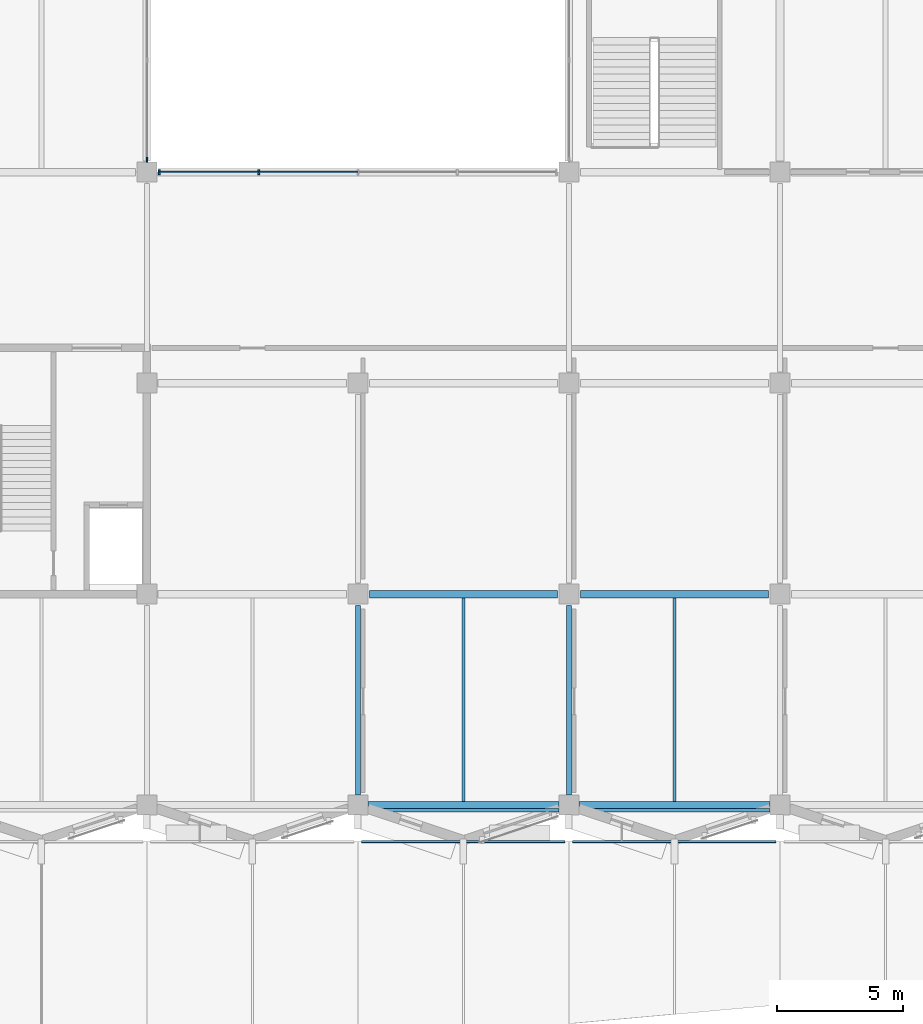
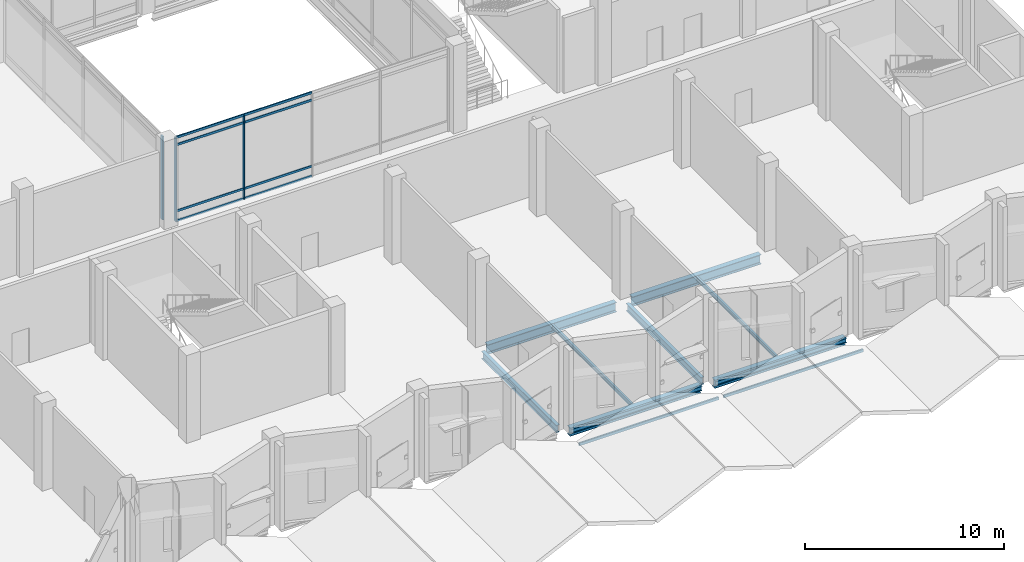
# One storey, part 20 of 72: 13 members, 10 beams, 2 elements without a shape of their own.
"""IFC4 building model written with IfcOpenShell, lengths in metres."""

from ifc_helpers import new_model, si_unit, direction, frame, origin, origin_2d, place, context, subcontext, project, spatial, rectangle, hollow_rectangle, i_section, extrude, material, layer, layer_set, material_profile, profile_set, type_object, element, aggregate, save


model = new_model("IFC4")

# Units and contexts
model_context = context("Model", 3, precision=1e-05, world=origin(), true_north=direction((0.0, 1.0)))
body_context = subcontext(model_context, "Body", "Model", "MODEL_VIEW")
ifc_project = project(units=[si_unit("LENGTHUNIT", "METRE"), si_unit("AREAUNIT", "SQUARE_METRE"), si_unit("VOLUMEUNIT", "CUBIC_METRE"), si_unit("PLANEANGLEUNIT", "RADIAN"), si_unit("MASSUNIT", "GRAM", prefix="KILO")], contexts=[model_context])

# Site, building, storey
site_placement = place(None, origin())
site = spatial("IfcSite", under=ifc_project, at=site_placement, CompositionType="ELEMENT")
building_placement = place(site_placement, origin())
building = spatial("IfcBuilding", under=site, at=building_placement, Name="Qawsi Khor Wholesale Market", CompositionType="ELEMENT")
storey_placement = place(building_placement, frame((0.0, 0.0, 6.0)))
storey = spatial("IfcBuildingStorey", under=building, at=storey_placement, Name="L01", CompositionType="ELEMENT", Elevation=6.0)

# Beams
ifc_material_1 = material(Name="Steel S355", Category="steel")
ifc_material_profile_1 = material_profile(ifc_material_1, i_section(OverallWidth=0.135009765625, OverallDepth=0.27001953125, WebThickness=0.006591796875, FlangeThickness=0.01025390625, FilletRadius=0.014892578125, at=origin_2d()), Name="IPE 270")
ifc_profile_set_1 = profile_set([ifc_material_profile_1], Name="Steel S355")
beam_type_1 = type_object("IfcBeamType", Name="Canopy Beam IPE 270", PredefinedType="BEAM", material=ifc_profile_set_1)
for number, where, z_axis, x_axis, name in (
    (1, (160.0, -0.199951171875, -0.419921875), (1.0, 0.0, 0.0), (0.0, 1.0, 0.0), "Canopy tie beam 19"),
    (2, (168.39990234375, -0.199951171875, -0.419921875), (1.0, 0.0, 0.0), (0.0, 1.0, 0.0), "Canopy tie beam 20"),
):
    element("IfcBeam", number, at=place(storey_placement, frame(where, z_axis=z_axis, x_axis=x_axis)), inside=storey, type_object=beam_type_1, Name=name, PredefinedType="BEAM", context=body_context, shape_type="SweptSolid", body=[
        extrude(i_section(OverallWidth=0.135009765625, OverallDepth=0.27001953125, WebThickness=0.006591796875, FlangeThickness=0.01025390625, FilletRadius=0.014892578125, at=origin_2d()), origin(), (0.0, 0.0, 1.0), 7.60009765625),
    ])

# Members
ifc_material_profile_2 = material_profile(ifc_material_1, hollow_rectangle(XDim=0.10009765625, YDim=0.179931640625, WallThickness=0.008056640625, InnerFilletRadius=0.008056640625, OuterFilletRadius=0.01611328125, at=origin_2d()), Name="RHS 180x100x8.0")
ifc_profile_set_2 = profile_set([ifc_material_profile_2], Name="Steel S355")
member_type_1 = type_object("IfcMemberType", Name="Canopy Sub-Purlin RHS 180x100x8.0", PredefinedType="PURLIN", material=ifc_profile_set_2)
for number, where, z_axis, x_axis, name in (
    (3, (159.75, -1.449951171875, -0.3798828125), (1.0, 0.0, 0.0), (0.0, 1.0, 0.0), "Canopy valley sub-purlin 19"),
    (4, (168.14990234375, -1.449951171875, -0.3798828125), (1.0, 0.0, 0.0), (0.0, 1.0, 0.0), "Canopy valley sub-purlin 20"),
):
    element("IfcMember", number, at=place(storey_placement, frame(where, z_axis=z_axis, x_axis=x_axis)), inside=storey, type_object=member_type_1, Name=name, PredefinedType="PURLIN", context=body_context, shape_type="SweptSolid", body=[
        extrude(hollow_rectangle(XDim=0.10009765625, YDim=0.179931640625, WallThickness=0.008056640625, InnerFilletRadius=0.008056640625, OuterFilletRadius=0.01611328125, at=origin_2d()), origin(), (0.0, 0.0, 1.0), 8.10009765625),
    ])

# Curtain wall, members
ifc_material_2 = material(Name="Aluminium Anodised Bronze", Category="aluminium")
ifc_layer = layer(ifc_material_2, 0.179931640625, Name="Aluminium Anodised Bronze")
ifc_layer_set = layer_set([ifc_layer], Name="Aluminium Anodised Bronze")
curtain_wall_type = type_object("IfcCurtainWallType", Name="Atrium Full-Height Curtain Wall CW-02", PredefinedType="NOTDEFINED", material=ifc_layer_set)
curtain_wall_1_placement = place(storey_placement, origin())
curtain_wall_1 = element("IfcCurtainWall", 5, at=curtain_wall_1_placement, inside=storey, type_object=curtain_wall_type, Name="Curtain wall CW-CW-02-L01-036", PredefinedType="NOTDEFINED")
ifc_material_profile_3 = material_profile(ifc_material_2, rectangle(XDim=0.070068359375, YDim=0.199951171875, at=origin_2d()), Name="ALU MULLION 70x200")
ifc_profile_set_3 = profile_set([ifc_material_profile_3], Name="Aluminium Anodised Bronze")
member_type_2 = type_object("IfcMemberType", Name="Curtain Wall Mullion CW-02 ALU MULLION 70x200", PredefinedType="MULLION", material=ifc_profile_set_3)
member_1_placement = place(storey_placement, frame((151.695068359375, 25.199951171875, -0.02001953125), z_axis=(0.0, 0.0, 1.0), x_axis=(1.0, 0.0, 0.0)))
member_1 = element("IfcMember", 6, at=member_1_placement, type_object=member_type_2, Name="Mullion CW-CW-02-L01-036-M00", PredefinedType="MULLION", context=body_context, shape_type="SweptSolid", body=[
    extrude(rectangle(XDim=0.070068359375, YDim=0.199951171875, at=origin_2d()), origin(), (0.0, 0.0, 1.0), 5.14013671875),
])
member_2_placement = place(storey_placement, frame((155.6474609375, 25.199951171875, -0.02001953125), z_axis=(0.0, 0.0, 1.0), x_axis=(1.0, 0.0, 0.0)))
member_2 = element("IfcMember", 7, at=member_2_placement, type_object=member_type_2, Name="Mullion CW-CW-02-L01-036-M01", PredefinedType="MULLION", context=body_context, shape_type="SweptSolid", body=[
    extrude(rectangle(XDim=0.070068359375, YDim=0.199951171875, at=origin_2d()), origin(), (0.0, 0.0, 1.0), 5.14013671875),
])

# Curtain wall, member
curtain_wall_2_placement = place(storey_placement, origin())
curtain_wall_2 = element("IfcCurtainWall", 8, at=curtain_wall_2_placement, inside=storey, type_object=curtain_wall_type, Name="Curtain wall CW-CW-02-L01-039", PredefinedType="NOTDEFINED")
member_3_placement = place(storey_placement, frame((151.199951171875, 25.695068359375, -0.02001953125), z_axis=(0.0, 0.0, 1.0), x_axis=(1.0, 0.0, 0.0)))
member_3 = element("IfcMember", 9, at=member_3_placement, type_object=member_type_2, Name="Mullion CW-CW-02-L01-039-M00", PredefinedType="MULLION", context=body_context, shape_type="SweptSolid", body=[
    extrude(rectangle(XDim=0.070068359375, YDim=0.199951171875, at=origin_2d()), origin(), (0.0, 0.0, 1.0), 5.14013671875),
])
aggregate(curtain_wall_2, [member_3])

# Member
ifc_material_profile_4 = material_profile(ifc_material_2, rectangle(XDim=0.06494140625, YDim=0.139892578125, at=origin_2d()), Name="ALU TRANSOM 65x140")
ifc_profile_set_4 = profile_set([ifc_material_profile_4], Name="Aluminium Anodised Bronze")
member_type_3 = type_object("IfcMemberType", Name="Curtain Wall Transom CW-02 ALU TRANSOM 65x140", PredefinedType="USERDEFINED", material=ifc_profile_set_4)
member_4_placement = place(storey_placement, frame((151.695068359375, 25.199951171875, 0.0), z_axis=(1.0, 0.0, 0.0), x_axis=(0.0, 1.0, 0.0)))
member_4 = element("IfcMember", 10, at=member_4_placement, type_object=member_type_3, Name="Transom CW-CW-02-L01-036-T0_00", ObjectType="TRANSOM", PredefinedType="USERDEFINED", context=body_context, shape_type="SweptSolid", body=[
    extrude(rectangle(XDim=0.06494140625, YDim=0.139892578125, at=origin_2d()), origin(), (0.0, 0.0, 1.0), 3.952392578125),
])

member_5_placement = place(storey_placement, frame((155.6474609375, 25.199951171875, 0.0), z_axis=(1.0, 0.0, 0.0), x_axis=(0.0, 1.0, 0.0)))
member_5 = element("IfcMember", 11, at=member_5_placement, type_object=member_type_3, Name="Transom CW-CW-02-L01-036-T0_01", ObjectType="TRANSOM", PredefinedType="USERDEFINED", context=body_context, shape_type="SweptSolid", body=[
    extrude(rectangle(XDim=0.06494140625, YDim=0.139892578125, at=origin_2d()), origin(), (0.0, 0.0, 1.0), 3.95263671875),
])

member_6_placement = place(storey_placement, frame((151.695068359375, 25.199951171875, 0.60009765625), z_axis=(1.0, 0.0, 0.0), x_axis=(0.0, 1.0, 0.0)))
member_6 = element("IfcMember", 12, at=member_6_placement, type_object=member_type_3, Name="Transom CW-CW-02-L01-036-T1_00", ObjectType="TRANSOM", PredefinedType="USERDEFINED", context=body_context, shape_type="SweptSolid", body=[
    extrude(rectangle(XDim=0.06494140625, YDim=0.139892578125, at=origin_2d()), origin(), (0.0, 0.0, 1.0), 3.952392578125),
])

member_7_placement = place(storey_placement, frame((155.6474609375, 25.199951171875, 0.60009765625), z_axis=(1.0, 0.0, 0.0), x_axis=(0.0, 1.0, 0.0)))
member_7 = element("IfcMember", 13, at=member_7_placement, type_object=member_type_3, Name="Transom CW-CW-02-L01-036-T1_01", ObjectType="TRANSOM", PredefinedType="USERDEFINED", context=body_context, shape_type="SweptSolid", body=[
    extrude(rectangle(XDim=0.06494140625, YDim=0.139892578125, at=origin_2d()), origin(), (0.0, 0.0, 1.0), 3.95263671875),
])

member_8_placement = place(storey_placement, frame((151.695068359375, 25.199951171875, 4.669921875), z_axis=(1.0, 0.0, 0.0), x_axis=(0.0, 1.0, 0.0)))
member_8 = element("IfcMember", 14, at=member_8_placement, type_object=member_type_3, Name="Transom CW-CW-02-L01-036-T2_00", ObjectType="TRANSOM", PredefinedType="USERDEFINED", context=body_context, shape_type="SweptSolid", body=[
    extrude(rectangle(XDim=0.06494140625, YDim=0.139892578125, at=origin_2d()), origin(), (0.0, 0.0, 1.0), 3.952392578125),
])

member_9_placement = place(storey_placement, frame((155.6474609375, 25.199951171875, 4.669921875), z_axis=(1.0, 0.0, 0.0), x_axis=(0.0, 1.0, 0.0)))
member_9 = element("IfcMember", 15, at=member_9_placement, type_object=member_type_3, Name="Transom CW-CW-02-L01-036-T2_01", ObjectType="TRANSOM", PredefinedType="USERDEFINED", context=body_context, shape_type="SweptSolid", body=[
    extrude(rectangle(XDim=0.06494140625, YDim=0.139892578125, at=origin_2d()), origin(), (0.0, 0.0, 1.0), 3.95263671875),
])

member_10_placement = place(storey_placement, frame((151.695068359375, 25.199951171875, 5.1201171875), z_axis=(1.0, 0.0, 0.0), x_axis=(0.0, 1.0, 0.0)))
member_10 = element("IfcMember", 16, at=member_10_placement, type_object=member_type_3, Name="Transom CW-CW-02-L01-036-T3_00", ObjectType="TRANSOM", PredefinedType="USERDEFINED", context=body_context, shape_type="SweptSolid", body=[
    extrude(rectangle(XDim=0.06494140625, YDim=0.139892578125, at=origin_2d()), origin(), (0.0, 0.0, 1.0), 3.952392578125),
])

member_11_placement = place(storey_placement, frame((155.6474609375, 25.199951171875, 5.1201171875), z_axis=(1.0, 0.0, 0.0), x_axis=(0.0, 1.0, 0.0)))
member_11 = element("IfcMember", 17, at=member_11_placement, type_object=member_type_3, Name="Transom CW-CW-02-L01-036-T3_01", ObjectType="TRANSOM", PredefinedType="USERDEFINED", context=body_context, shape_type="SweptSolid", body=[
    extrude(rectangle(XDim=0.06494140625, YDim=0.139892578125, at=origin_2d()), origin(), (0.0, 0.0, 1.0), 3.95263671875),
])

aggregate(curtain_wall_1, [member_1, member_2, member_4, member_5, member_6, member_7, member_8, member_9, member_10, member_11])

# Beams
ifc_material_profile_5 = material_profile(ifc_material_1, i_section(OverallWidth=0.1201171875, OverallDepth=0.239990234375, WebThickness=0.006103515625, FlangeThickness=0.009765625, FilletRadius=0.014892578125, at=origin_2d()), Name="IPE 240")
ifc_profile_set_5 = profile_set([ifc_material_profile_5], Name="Steel S355")
beam_type_2 = type_object("IfcBeamType", Name="Floor Joist IPE 240", PredefinedType="JOIST", material=ifc_profile_set_5)
for number, where, z_axis, x_axis, name in (
    (18, (163.800048828125, 0.14990234375, -0.39990234375), (0.0, 1.0, 0.0), (-1.0, 0.0, 0.0), "JST-S-L01-19"),
    (19, (172.199951171875, 0.14990234375, -0.39990234375), (0.0, 1.0, 0.0), (-1.0, 0.0, 0.0), "JST-S-L01-20"),
):
    element("IfcBeam", number, at=place(storey_placement, frame(where, z_axis=z_axis, x_axis=x_axis)), inside=storey, type_object=beam_type_2, Name=name, PredefinedType="JOIST", context=body_context, shape_type="SweptSolid", body=[
        extrude(i_section(OverallWidth=0.1201171875, OverallDepth=0.239990234375, WebThickness=0.006103515625, FlangeThickness=0.009765625, FilletRadius=0.014892578125, at=origin_2d()), origin(), (0.0, 0.0, 1.0), 8.10009765625),
    ])
ifc_material_profile_6 = material_profile(ifc_material_1, i_section(OverallWidth=0.300048828125, OverallDepth=0.5, WebThickness=0.014404296875, FlangeThickness=0.028076171875, FilletRadius=0.027099609375, at=origin_2d()), Name="HEB 500")
ifc_profile_set_6 = profile_set([ifc_material_profile_6], Name="Steel S355")
beam_type_3 = type_object("IfcBeamType", Name="Heavy Edge Girder HEB 500", PredefinedType="BEAM", material=ifc_profile_set_6)
for number, where, z_axis, x_axis, name in (
    (20, (160.0, 0.0, -0.530029296875), (1.0, 0.0, 0.0), (0.0, 1.0, 0.0), "BM-X-L01-19_+00"),
    (21, (168.39990234375, 0.0, -0.530029296875), (1.0, 0.0, 0.0), (0.0, 1.0, 0.0), "BM-X-L01-20_+00"),
):
    element("IfcBeam", number, at=place(storey_placement, frame(where, z_axis=z_axis, x_axis=x_axis)), inside=storey, type_object=beam_type_3, Name=name, PredefinedType="BEAM", context=body_context, shape_type="SweptSolid", body=[
        extrude(i_section(OverallWidth=0.300048828125, OverallDepth=0.5, WebThickness=0.014404296875, FlangeThickness=0.028076171875, FilletRadius=0.027099609375, at=origin_2d()), origin(), (0.0, 0.0, 1.0), 7.60009765625),
    ])
ifc_material_profile_7 = material_profile(ifc_material_1, i_section(OverallWidth=0.300048828125, OverallDepth=0.590087890625, WebThickness=0.012939453125, FlangeThickness=0.02490234375, FilletRadius=0.027099609375, at=origin_2d()), Name="HEA 600")
ifc_profile_set_7 = profile_set([ifc_material_profile_7], Name="Steel S355")
beam_type_4 = type_object("IfcBeamType", Name="Primary Girder HEA 600", PredefinedType="BEAM", material=ifc_profile_set_7)
for number, where, z_axis, x_axis, name in (
    (22, (160.050048828125, 8.39990234375, -0.574951171875), (1.0, 0.0, 0.0), (0.0, 1.0, 0.0), "BM-X-L01-19_+01"),
    (23, (168.449951171875, 8.39990234375, -0.574951171875), (1.0, 0.0, 0.0), (0.0, 1.0, 0.0), "BM-X-L01-20_+01"),
):
    element("IfcBeam", number, at=place(storey_placement, frame(where, z_axis=z_axis, x_axis=x_axis)), inside=storey, type_object=beam_type_4, Name=name, PredefinedType="BEAM", context=body_context, shape_type="SweptSolid", body=[
        extrude(i_section(OverallWidth=0.300048828125, OverallDepth=0.590087890625, WebThickness=0.012939453125, FlangeThickness=0.02490234375, FilletRadius=0.027099609375, at=origin_2d()), origin(), (0.0, 0.0, 1.0), 7.5),
    ])
ifc_material_profile_8 = material_profile(ifc_material_1, i_section(OverallWidth=0.18994140625, OverallDepth=0.449951171875, WebThickness=0.009521484375, FlangeThickness=0.0146484375, FilletRadius=0.02099609375, at=origin_2d()), Name="IPE 450")
ifc_profile_set_8 = profile_set([ifc_material_profile_8], Name="Steel S355")
beam_type_5 = type_object("IfcBeamType", Name="Secondary Beam IPE 450", PredefinedType="BEAM", material=ifc_profile_set_8)
for number, where, z_axis, x_axis, name in (
    (24, (159.60009765625, 0.39990234375, -0.5048828125), (0.0, 1.0, 0.0), (-1.0, 0.0, 0.0), "BM-Y-L01-19_+00"),
    (25, (168.0, 0.39990234375, -0.5048828125), (0.0, 1.0, 0.0), (-1.0, 0.0, 0.0), "BM-Y-L01-20_+00"),
):
    element("IfcBeam", number, at=place(storey_placement, frame(where, z_axis=z_axis, x_axis=x_axis)), inside=storey, type_object=beam_type_5, Name=name, PredefinedType="BEAM", context=body_context, shape_type="SweptSolid", body=[
        extrude(i_section(OverallWidth=0.18994140625, OverallDepth=0.449951171875, WebThickness=0.009521484375, FlangeThickness=0.0146484375, FilletRadius=0.02099609375, at=origin_2d()), origin(), (0.0, 0.0, 1.0), 7.550048828125),
    ])

save(model, "model.ifc")
